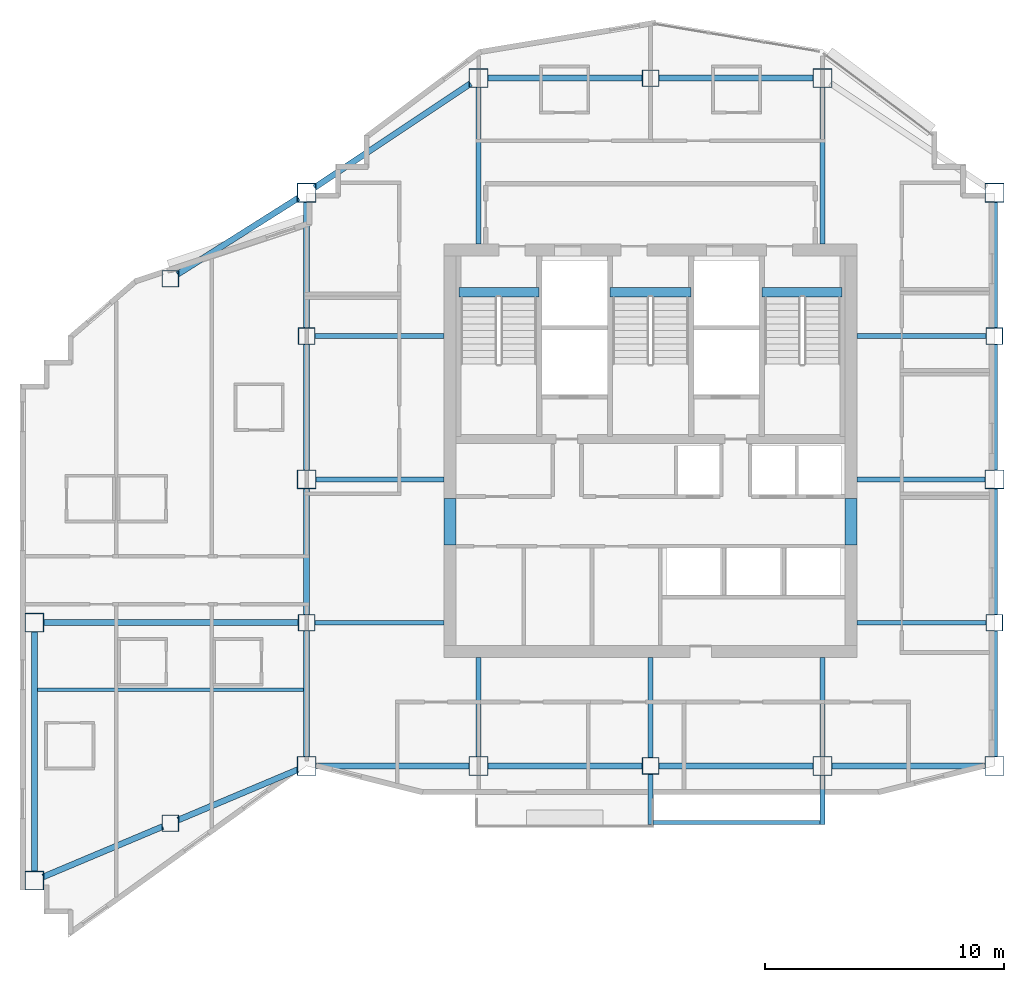
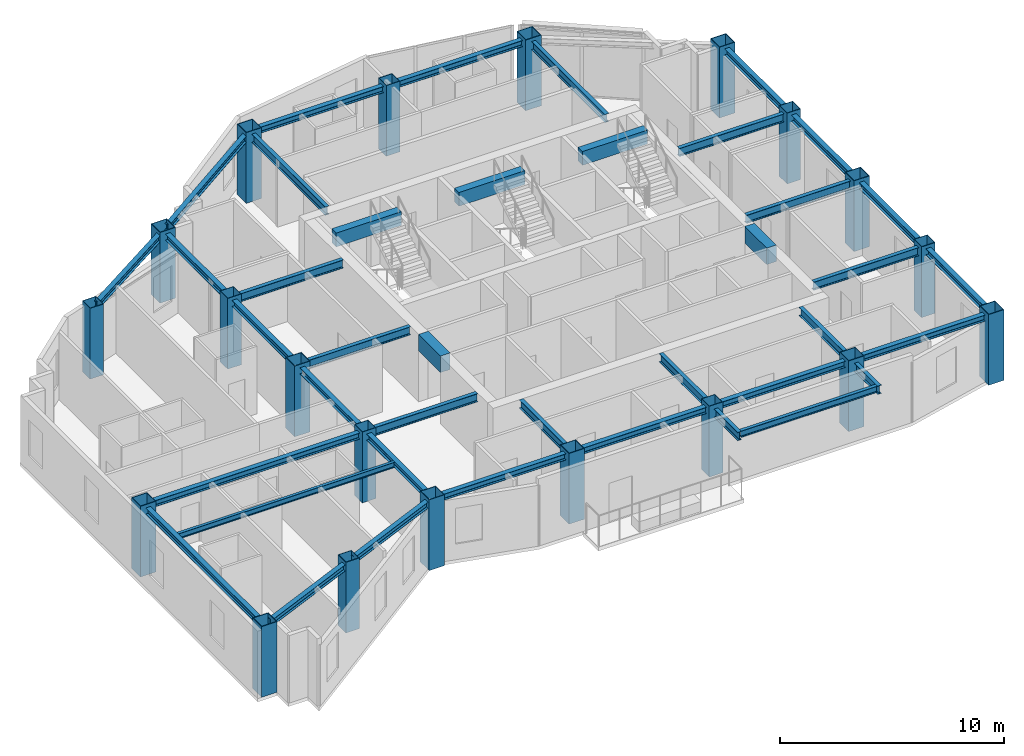
# One storey, part 1 of 11: 40 beams, 20 columns.
"""IFC4 building model written with IfcOpenShell, lengths in metres."""

from ifc_helpers import new_model, si_unit, direction, frame, origin, origin_2d, place, context, subcontext, project, spatial, rectangle, hollow_rectangle, i_section, extrude, material, material_profile, profile_set, type_object, element, save


model = new_model("IFC4")

# Units and contexts
model_context = context("Model", 3, precision=1e-05, world=origin(), true_north=direction((0.0, 1.0)))
body_context = subcontext(model_context, "Body", "Model", "MODEL_VIEW")
ifc_project = project(units=[si_unit("LENGTHUNIT", "METRE"), si_unit("AREAUNIT", "SQUARE_METRE"), si_unit("VOLUMEUNIT", "CUBIC_METRE"), si_unit("PLANEANGLEUNIT", "RADIAN"), si_unit("MASSUNIT", "GRAM", prefix="KILO")], contexts=[model_context])

# Site, building, storey
site_placement = place(None, origin())
site = spatial("IfcSite", under=ifc_project, at=site_placement, CompositionType="ELEMENT")
building_placement = place(site_placement, origin())
building = spatial("IfcBuilding", under=site, at=building_placement, Name="Haolan Belvedere Tower", CompositionType="ELEMENT")
storey_placement = place(building_placement, frame((0.0, 0.0, 254.449951171875)))
storey = spatial("IfcBuildingStorey", under=building, at=storey_placement, Name="L64", CompositionType="ELEMENT", Elevation=254.449951171875)

# Columns
ifc_material_1 = material(Name="Steel Q390GJC", Category="steel")
ifc_material_profile_1 = material_profile(ifc_material_1, hollow_rectangle(XDim=0.699951171875, YDim=0.699951171875, WallThickness=0.02587890625, at=origin_2d()), Name="Steel Q390GJC")
ifc_profile_set_1 = profile_set([ifc_material_profile_1], Name="Steel Q390GJC")
column_type_1 = type_object("IfcColumnType", Name="COL-BOX700x700x26", PredefinedType="COLUMN", material=ifc_profile_set_1)
for number, where, z_axis, x_axis, name in (
    (1, (24.0, 27.60009765625, 0.0), (0.0, 0.0, 1.0), (1.0, 0.0, 0.0), "L64 column TC-T3-W1 (BOX700x700x26)"),
    (2, (24.0, 39.60009765625, 0.0), (0.0, 0.0, 1.0), (1.0, 0.0, 0.0), "L64 column TC-T3-W2 (BOX700x700x26)"),
    (3, (52.800048828125, 27.60009765625, 0.0), (0.0, 0.0, 1.0), (1.0, 0.0, 0.0), "L64 column TC-T3-E1 (BOX700x700x26)"),
    (4, (52.800048828125, 39.60009765625, 0.0), (0.0, 0.0, 1.0), (1.0, 0.0, 0.0), "L64 column TC-T3-E2 (BOX700x700x26)"),
    (5, (38.39990234375, 21.60009765625, 0.0), (0.0, 0.0, 1.0), (1.0, 0.0, 0.0), "L64 column TC-T3-SM (BOX700x700x26)"),
    (6, (38.39990234375, 50.39990234375, 0.0), (0.0, 0.0, 1.0), (1.0, 0.0, 0.0), "L64 column TC-T3-NM (BOX700x700x26)"),
    (7, (18.300048828125, 19.199951171875, 0.0), (0.0, 0.0, 1.0), (1.0, 0.0, 0.0), "L64 column TC-T2-S1 (BOX700x700x26)"),
    (8, (18.300048828125, 42.0, 0.0), (0.0, 0.0, 1.0), (1.0, 0.0, 0.0), "L64 column TC-T2-N1 (BOX700x700x26)"),
):
    element("IfcColumn", number, at=place(storey_placement, frame(where, z_axis=z_axis, x_axis=x_axis)), inside=storey, type_object=column_type_1, Name=name, PredefinedType="COLUMN", context=body_context, shape_type="SweptSolid", body=[
        extrude(hollow_rectangle(XDim=0.699951171875, YDim=0.699951171875, WallThickness=0.02587890625, at=origin_2d()), origin(), (0.0, 0.0, 1.0), 3.85009765625),
    ])
ifc_material_profile_2 = material_profile(ifc_material_1, hollow_rectangle(XDim=0.800048828125, YDim=0.800048828125, WallThickness=0.030029296875, at=origin_2d()), Name="Steel Q390GJC")
ifc_profile_set_2 = profile_set([ifc_material_profile_2], Name="Steel Q390GJC")
column_type_2 = type_object("IfcColumnType", Name="COL-BOX800x800x30", PredefinedType="COLUMN", material=ifc_profile_set_2)
for number, where, z_axis, x_axis, name in (
    (9, (24.0, 21.60009765625, 0.0), (0.0, 0.0, 1.0), (1.0, 0.0, 0.0), "L64 column MC-T3-SW (BOX800x800x30)"),
    (10, (24.0, 33.60009765625, 0.0), (0.0, 0.0, 1.0), (1.0, 0.0, 0.0), "L64 column MC-T3-MW (BOX800x800x30)"),
    (11, (24.0, 45.60009765625, 0.0), (0.0, 0.0, 1.0), (1.0, 0.0, 0.0), "L64 column MC-T3-NW (BOX800x800x30)"),
    (12, (52.800048828125, 21.60009765625, 0.0), (0.0, 0.0, 1.0), (1.0, 0.0, 0.0), "L64 column MC-T3-SE (BOX800x800x30)"),
    (13, (52.800048828125, 33.60009765625, 0.0), (0.0, 0.0, 1.0), (1.0, 0.0, 0.0), "L64 column MC-T3-ME (BOX800x800x30)"),
    (14, (52.800048828125, 45.60009765625, 0.0), (0.0, 0.0, 1.0), (1.0, 0.0, 0.0), "L64 column MC-T3-NE (BOX800x800x30)"),
    (15, (31.199951171875, 21.60009765625, 0.0), (0.0, 0.0, 1.0), (1.0, 0.0, 0.0), "L64 column MC-T3-S1 (BOX800x800x30)"),
    (16, (45.60009765625, 21.60009765625, 0.0), (0.0, 0.0, 1.0), (1.0, 0.0, 0.0), "L64 column MC-T3-S2 (BOX800x800x30)"),
    (17, (31.199951171875, 50.39990234375, 0.0), (0.0, 0.0, 1.0), (1.0, 0.0, 0.0), "L64 column MC-T3-N1 (BOX800x800x30)"),
    (18, (45.60009765625, 50.39990234375, 0.0), (0.0, 0.0, 1.0), (1.0, 0.0, 0.0), "L64 column MC-T3-N2 (BOX800x800x30)"),
    (19, (12.60009765625, 16.800048828125, 0.0), (0.0, 0.0, 1.0), (1.0, 0.0, 0.0), "L64 column MC-T2-SW (BOX800x800x30)"),
    (20, (12.60009765625, 27.60009765625, 0.0), (0.0, 0.0, 1.0), (1.0, 0.0, 0.0), "L64 column MC-T2-MW (BOX800x800x30)"),
):
    element("IfcColumn", number, at=place(storey_placement, frame(where, z_axis=z_axis, x_axis=x_axis)), inside=storey, type_object=column_type_2, Name=name, PredefinedType="COLUMN", context=body_context, shape_type="SweptSolid", body=[
        extrude(hollow_rectangle(XDim=0.800048828125, YDim=0.800048828125, WallThickness=0.030029296875, at=origin_2d()), origin(), (0.0, 0.0, 1.0), 3.85009765625),
    ])

# Beams
ifc_material_2 = material(Name="Steel Q355B", Category="steel")
ifc_material_profile_3 = material_profile(ifc_material_2, i_section(OverallWidth=0.25, OverallDepth=0.340087890625, WebThickness=0.009033203125, FlangeThickness=0.013916015625, FilletRadius=0.02001953125, at=origin_2d()), Name="Steel Q355B")
ifc_profile_set_3 = profile_set([ifc_material_profile_3], Name="Steel Q355B")
beam_type_1 = type_object("IfcBeamType", Name="BM-HM340x250x9x14", PredefinedType="SPANDREL", material=ifc_profile_set_3)
for number, where, z_axis, x_axis, name in (
    (21, (24.0, 22.0, 3.5), (0.0, 1.0, 0.0), (-1.0, 0.0, 0.0), "L64 spandrel girder MC-T3-SW-TC-T3-W1"),
    (22, (24.0, 27.949951171875, 3.5), (0.0, 1.0, 0.0), (-1.0, 0.0, 0.0), "L64 spandrel girder TC-T3-W1-MC-T3-MW"),
    (23, (24.0, 34.0, 3.5), (0.0, 1.0, 0.0), (-1.0, 0.0, 0.0), "L64 spandrel girder MC-T3-MW-TC-T3-W2"),
    (24, (24.0, 39.949951171875, 3.5), (0.0, 1.0, 0.0), (-1.0, 0.0, 0.0), "L64 spandrel girder TC-T3-W2-MC-T3-NW"),
    (25, (52.800048828125, 22.0, 3.5), (0.0, 1.0, 0.0), (-1.0, 0.0, 0.0), "L64 spandrel girder MC-T3-SE-TC-T3-E1"),
    (26, (52.800048828125, 27.949951171875, 3.5), (0.0, 1.0, 0.0), (-1.0, 0.0, 0.0), "L64 spandrel girder TC-T3-E1-MC-T3-ME"),
    (27, (52.800048828125, 34.0, 3.5), (0.0, 1.0, 0.0), (-1.0, 0.0, 0.0), "L64 spandrel girder MC-T3-ME-TC-T3-E2"),
    (28, (52.800048828125, 39.949951171875, 3.5), (0.0, 1.0, 0.0), (-1.0, 0.0, 0.0), "L64 spandrel girder TC-T3-E2-MC-T3-NE"),
):
    element("IfcBeam", number, at=place(storey_placement, frame(where, z_axis=z_axis, x_axis=x_axis)), inside=storey, type_object=beam_type_1, Name=name, PredefinedType="SPANDREL", context=body_context, shape_type="SweptSolid", body=[
        extrude(i_section(OverallWidth=0.25, OverallDepth=0.340087890625, WebThickness=0.009033203125, FlangeThickness=0.013916015625, FilletRadius=0.02001953125, at=origin_2d()), origin(), (0.0, 0.0, 1.0), 5.25),
    ])
beam_1_placement = place(storey_placement, frame((24.39990234375, 21.60009765625, 3.5), z_axis=(1.0, 0.0, 0.0), x_axis=(0.0, 1.0, 0.0)))
element("IfcBeam", 29, at=beam_1_placement, inside=storey, type_object=beam_type_1, Name="L64 spandrel girder MC-T3-SW-MC-T3-S1", PredefinedType="SPANDREL", context=body_context, shape_type="SweptSolid", body=[
    extrude(i_section(OverallWidth=0.25, OverallDepth=0.340087890625, WebThickness=0.009033203125, FlangeThickness=0.013916015625, FilletRadius=0.02001953125, at=origin_2d()), origin(), (0.0, 0.0, 1.0), 6.400146484375),
])
for number, where, z_axis, x_axis, name in (
    (30, (31.60009765625, 21.60009765625, 3.5), (1.0, 0.0, 0.0), (0.0, 1.0, 0.0), "L64 spandrel girder MC-T3-S1-TC-T3-SM"),
    (31, (38.75, 21.60009765625, 3.5), (1.0, 0.0, 0.0), (0.0, 1.0, 0.0), "L64 spandrel girder TC-T3-SM-MC-T3-S2"),
):
    element("IfcBeam", number, at=place(storey_placement, frame(where, z_axis=z_axis, x_axis=x_axis)), inside=storey, type_object=beam_type_1, Name=name, PredefinedType="SPANDREL", context=body_context, shape_type="SweptSolid", body=[
        extrude(i_section(OverallWidth=0.25, OverallDepth=0.340087890625, WebThickness=0.009033203125, FlangeThickness=0.013916015625, FilletRadius=0.02001953125, at=origin_2d()), origin(), (0.0, 0.0, 1.0), 6.449951171875),
    ])
beam_2_placement = place(storey_placement, frame((46.0, 21.60009765625, 3.5), z_axis=(1.0, 0.0, 0.0), x_axis=(0.0, 1.0, 0.0)))
element("IfcBeam", 32, at=beam_2_placement, inside=storey, type_object=beam_type_1, Name="L64 spandrel girder MC-T3-S2-MC-T3-SE", PredefinedType="SPANDREL", context=body_context, shape_type="SweptSolid", body=[
    extrude(i_section(OverallWidth=0.25, OverallDepth=0.340087890625, WebThickness=0.009033203125, FlangeThickness=0.013916015625, FilletRadius=0.02001953125, at=origin_2d()), origin(), (0.0, 0.0, 1.0), 6.39990234375),
])
beam_3_placement = place(storey_placement, frame((24.332763671875, 45.82177734375, 3.5), z_axis=(0.832040729016, 0.55471454394, 0.0), x_axis=(-0.55471454394, 0.832040729016, 0.0)))
element("IfcBeam", 33, at=beam_3_placement, inside=storey, type_object=beam_type_1, Name="L64 spandrel girder MC-T3-NW-MC-T3-N1", PredefinedType="SPANDREL", context=body_context, shape_type="SweptSolid", body=[
    extrude(i_section(OverallWidth=0.25, OverallDepth=0.340087890625, WebThickness=0.009033203125, FlangeThickness=0.013916015625, FilletRadius=0.02001953125, at=origin_2d()), origin(), (0.0, 0.0, 1.0), 7.853515625),
])
for number, where, z_axis, x_axis, name in (
    (34, (31.60009765625, 50.39990234375, 3.5), (1.0, 0.0, 0.0), (0.0, 1.0, 0.0), "L64 spandrel girder MC-T3-N1-TC-T3-NM"),
    (35, (38.75, 50.39990234375, 3.5), (1.0, 0.0, 0.0), (0.0, 1.0, 0.0), "L64 spandrel girder TC-T3-NM-MC-T3-N2"),
):
    element("IfcBeam", number, at=place(storey_placement, frame(where, z_axis=z_axis, x_axis=x_axis)), inside=storey, type_object=beam_type_1, Name=name, PredefinedType="SPANDREL", context=body_context, shape_type="SweptSolid", body=[
        extrude(i_section(OverallWidth=0.25, OverallDepth=0.340087890625, WebThickness=0.009033203125, FlangeThickness=0.013916015625, FilletRadius=0.02001953125, at=origin_2d()), origin(), (0.0, 0.0, 1.0), 6.449951171875),
    ])
beam_4_placement = place(storey_placement, frame((12.60009765625, 17.199951171875, 3.5), z_axis=(0.0, 1.0, 0.0), x_axis=(-1.0, 0.0, 0.0)))
element("IfcBeam", 36, at=beam_4_placement, inside=storey, type_object=beam_type_1, Name="L64 spandrel girder MC-T2-SW-MC-T2-MW", PredefinedType="SPANDREL", context=body_context, shape_type="SweptSolid", body=[
    extrude(i_section(OverallWidth=0.25, OverallDepth=0.340087890625, WebThickness=0.009033203125, FlangeThickness=0.013916015625, FilletRadius=0.02001953125, at=origin_2d()), origin(), (0.0, 0.0, 1.0), 10.0),
])
for number, where, z_axis, x_axis, name in (
    (37, (12.96875, 16.955322265625, 3.5), (0.921640448717, 0.388044950088, 0.0), (-0.388044950088, 0.921640448717, 0.0), "L64 spandrel girder MC-T2-SW-TC-T2-S1"),
    (38, (18.62255859375, 19.3359375, 3.5), (0.921640448717, 0.388044950088, 0.0), (-0.388044950088, 0.921640448717, 0.0), "L64 spandrel girder TC-T2-S1-MC-T3-SW"),
):
    element("IfcBeam", number, at=place(storey_placement, frame(where, z_axis=z_axis, x_axis=x_axis)), inside=storey, type_object=beam_type_1, Name=name, PredefinedType="SPANDREL", context=body_context, shape_type="SweptSolid", body=[
        extrude(i_section(OverallWidth=0.25, OverallDepth=0.340087890625, WebThickness=0.009033203125, FlangeThickness=0.013916015625, FilletRadius=0.02001953125, at=origin_2d()), origin(), (0.0, 0.0, 1.0), 5.4345703125),
    ])
beam_5_placement = place(storey_placement, frame((18.595947265625, 42.18701171875, 3.5), z_axis=(0.845493744187, 0.533985326148, 0.0), x_axis=(-0.533985326148, 0.845493744187, 0.0)))
element("IfcBeam", 39, at=beam_5_placement, inside=storey, type_object=beam_type_1, Name="L64 spandrel girder TC-T2-N1-MC-T3-NW", PredefinedType="SPANDREL", context=body_context, shape_type="SweptSolid", body=[
    extrude(i_section(OverallWidth=0.25, OverallDepth=0.340087890625, WebThickness=0.009033203125, FlangeThickness=0.013916015625, FilletRadius=0.02001953125, at=origin_2d()), origin(), (0.0, 0.0, 1.0), 5.99169921875),
])
beam_6_placement = place(storey_placement, frame((13.0, 27.60009765625, 3.5), z_axis=(1.0, 0.0, 0.0), x_axis=(0.0, 1.0, 0.0)))
element("IfcBeam", 40, at=beam_6_placement, inside=storey, type_object=beam_type_1, Name="L64 spandrel girder MC-T2-MW-TC-T3-W1", PredefinedType="SPANDREL", context=body_context, shape_type="SweptSolid", body=[
    extrude(i_section(OverallWidth=0.25, OverallDepth=0.340087890625, WebThickness=0.009033203125, FlangeThickness=0.013916015625, FilletRadius=0.02001953125, at=origin_2d()), origin(), (0.0, 0.0, 1.0), 10.64990234375),
])
ifc_material_profile_4 = material_profile(ifc_material_2, i_section(OverallWidth=0.14990234375, OverallDepth=0.300048828125, WebThickness=0.006591796875, FlangeThickness=0.009033203125, FilletRadius=0.012939453125, at=origin_2d()), Name="Steel Q355B")
ifc_profile_set_4 = profile_set([ifc_material_profile_4], Name="Steel Q355B")
beam_type_2 = type_object("IfcBeamType", Name="BM-HN300x150x6.5x9", PredefinedType="JOIST", material=ifc_profile_set_4)
beam_7_placement = place(storey_placement, frame((12.72509765625, 24.800048828125, 3.52001953125), z_axis=(1.0, 0.0, 0.0), x_axis=(0.0, 1.0, 0.0)))
element("IfcBeam", 41, at=beam_7_placement, inside=storey, type_object=beam_type_2, Name="L64 west wing floor joist 1", PredefinedType="JOIST", context=body_context, shape_type="SweptSolid", body=[
    extrude(i_section(OverallWidth=0.14990234375, OverallDepth=0.300048828125, WebThickness=0.006591796875, FlangeThickness=0.009033203125, FilletRadius=0.012939453125, at=origin_2d()), origin(), (0.0, 0.0, 1.0), 11.14990234375),
])
ifc_material_profile_5 = material_profile(ifc_material_2, i_section(OverallWidth=0.175048828125, OverallDepth=0.35009765625, WebThickness=0.007080078125, FlangeThickness=0.010986328125, FilletRadius=0.012939453125, at=origin_2d()), Name="Steel Q355B")
ifc_profile_set_5 = profile_set([ifc_material_profile_5], Name="Steel Q355B")
beam_type_3 = type_object("IfcBeamType", Name="BM-HN350x175x7x11", PredefinedType="JOIST", material=ifc_profile_set_5)
beam_8_placement = place(storey_placement, frame((38.5, 19.239990234375, 3.445068359375), z_axis=(1.0, 0.0, 0.0), x_axis=(0.0, 1.0, 0.0)))
element("IfcBeam", 42, at=beam_8_placement, inside=storey, type_object=beam_type_3, Name="L65 tree-balcony front trimmer beam 1", PredefinedType="BEAM", context=body_context, shape_type="SweptSolid", body=[
    extrude(i_section(OverallWidth=0.175048828125, OverallDepth=0.35009765625, WebThickness=0.007080078125, FlangeThickness=0.010986328125, FilletRadius=0.012939453125, at=origin_2d()), origin(), (0.0, 0.0, 1.0), 7.0),
])
ifc_material_profile_6 = material_profile(ifc_material_2, i_section(OverallWidth=0.199951171875, OverallDepth=0.449951171875, WebThickness=0.009033203125, FlangeThickness=0.013916015625, FilletRadius=0.01611328125, at=origin_2d()), Name="Steel Q355B")
ifc_profile_set_6 = profile_set([ifc_material_profile_6], Name="Steel Q355B")
beam_type_4 = type_object("IfcBeamType", Name="BM-HN450x200x9x14", PredefinedType="BEAM", material=ifc_profile_set_6)
beam_9_placement = place(storey_placement, frame((24.39990234375, 33.60009765625, 3.445068359375), z_axis=(1.0, 0.0, 0.0), x_axis=(0.0, 1.0, 0.0)))
element("IfcBeam", 43, at=beam_9_placement, inside=storey, type_object=beam_type_4, Name="L64 core tie beam from MC-T3-MW", PredefinedType="BEAM", context=body_context, shape_type="SweptSolid", body=[
    extrude(i_section(OverallWidth=0.199951171875, OverallDepth=0.449951171875, WebThickness=0.009033203125, FlangeThickness=0.013916015625, FilletRadius=0.01611328125, at=origin_2d()), origin(), (0.0, 0.0, 1.0), 5.35009765625),
])
for number, where, z_axis, x_axis, name in (
    (44, (24.35009765625, 27.60009765625, 3.445068359375), (1.0, 0.0, 0.0), (0.0, 1.0, 0.0), "L64 core tie beam from TC-T3-W1"),
    (45, (24.35009765625, 39.60009765625, 3.445068359375), (1.0, 0.0, 0.0), (0.0, 1.0, 0.0), "L64 core tie beam from TC-T3-W2"),
):
    element("IfcBeam", number, at=place(storey_placement, frame(where, z_axis=z_axis, x_axis=x_axis)), inside=storey, type_object=beam_type_4, Name=name, PredefinedType="BEAM", context=body_context, shape_type="SweptSolid", body=[
        extrude(i_section(OverallWidth=0.199951171875, OverallDepth=0.449951171875, WebThickness=0.009033203125, FlangeThickness=0.013916015625, FilletRadius=0.01611328125, at=origin_2d()), origin(), (0.0, 0.0, 1.0), 5.39990234375),
    ])
beam_10_placement = place(storey_placement, frame((52.39990234375, 33.60009765625, 3.445068359375), z_axis=(-1.0, 0.0, 0.0), x_axis=(0.0, -1.0, 0.0)))
element("IfcBeam", 46, at=beam_10_placement, inside=storey, type_object=beam_type_4, Name="L64 core tie beam from MC-T3-ME", PredefinedType="BEAM", context=body_context, shape_type="SweptSolid", body=[
    extrude(i_section(OverallWidth=0.199951171875, OverallDepth=0.449951171875, WebThickness=0.009033203125, FlangeThickness=0.013916015625, FilletRadius=0.01611328125, at=origin_2d()), origin(), (0.0, 0.0, 1.0), 5.349853515625),
])
for number, where, z_axis, x_axis, name in (
    (47, (52.449951171875, 27.60009765625, 3.445068359375), (-1.0, 0.0, 0.0), (0.0, -1.0, 0.0), "L64 core tie beam from TC-T3-E1"),
    (48, (52.449951171875, 39.60009765625, 3.445068359375), (-1.0, 0.0, 0.0), (0.0, -1.0, 0.0), "L64 core tie beam from TC-T3-E2"),
):
    element("IfcBeam", number, at=place(storey_placement, frame(where, z_axis=z_axis, x_axis=x_axis)), inside=storey, type_object=beam_type_4, Name=name, PredefinedType="BEAM", context=body_context, shape_type="SweptSolid", body=[
        extrude(i_section(OverallWidth=0.199951171875, OverallDepth=0.449951171875, WebThickness=0.009033203125, FlangeThickness=0.013916015625, FilletRadius=0.01611328125, at=origin_2d()), origin(), (0.0, 0.0, 1.0), 5.39990234375),
    ])
beam_11_placement = place(storey_placement, frame((31.199951171875, 22.0, 3.445068359375), z_axis=(0.0, 1.0, 0.0), x_axis=(-1.0, 0.0, 0.0)))
element("IfcBeam", 49, at=beam_11_placement, inside=storey, type_object=beam_type_4, Name="L64 core tie beam from MC-T3-S1", PredefinedType="BEAM", context=body_context, shape_type="SweptSolid", body=[
    extrude(i_section(OverallWidth=0.199951171875, OverallDepth=0.449951171875, WebThickness=0.009033203125, FlangeThickness=0.013916015625, FilletRadius=0.01611328125, at=origin_2d()), origin(), (0.0, 0.0, 1.0), 4.14990234375),
])
beam_12_placement = place(storey_placement, frame((38.39990234375, 21.949951171875, 3.445068359375), z_axis=(0.0, 1.0, 0.0), x_axis=(-1.0, 0.0, 0.0)))
element("IfcBeam", 50, at=beam_12_placement, inside=storey, type_object=beam_type_4, Name="L64 core tie beam from TC-T3-SM", PredefinedType="BEAM", context=body_context, shape_type="SweptSolid", body=[
    extrude(i_section(OverallWidth=0.199951171875, OverallDepth=0.449951171875, WebThickness=0.009033203125, FlangeThickness=0.013916015625, FilletRadius=0.01611328125, at=origin_2d()), origin(), (0.0, 0.0, 1.0), 4.199951171875),
])
beam_13_placement = place(storey_placement, frame((45.60009765625, 22.0, 3.445068359375), z_axis=(0.0, 1.0, 0.0), x_axis=(-1.0, 0.0, 0.0)))
element("IfcBeam", 51, at=beam_13_placement, inside=storey, type_object=beam_type_4, Name="L64 core tie beam from MC-T3-S2", PredefinedType="BEAM", context=body_context, shape_type="SweptSolid", body=[
    extrude(i_section(OverallWidth=0.199951171875, OverallDepth=0.449951171875, WebThickness=0.009033203125, FlangeThickness=0.013916015625, FilletRadius=0.01611328125, at=origin_2d()), origin(), (0.0, 0.0, 1.0), 4.14990234375),
])
for number, where, z_axis, x_axis, name in (
    (52, (31.199951171875, 50.0, 3.445068359375), (0.0, -1.0, 0.0), (1.0, 0.0, 0.0), "L64 core tie beam from MC-T3-N1"),
    (53, (45.60009765625, 50.0, 3.445068359375), (0.0, -1.0, 0.0), (1.0, 0.0, 0.0), "L64 core tie beam from MC-T3-N2"),
):
    element("IfcBeam", number, at=place(storey_placement, frame(where, z_axis=z_axis, x_axis=x_axis)), inside=storey, type_object=beam_type_4, Name=name, PredefinedType="BEAM", context=body_context, shape_type="SweptSolid", body=[
        extrude(i_section(OverallWidth=0.199951171875, OverallDepth=0.449951171875, WebThickness=0.009033203125, FlangeThickness=0.013916015625, FilletRadius=0.01611328125, at=origin_2d()), origin(), (0.0, 0.0, 1.0), 6.550048828125),
    ])
beam_14_placement = place(storey_placement, frame((38.39990234375, 21.25, 3.39501953125), z_axis=(0.0, -1.0, 0.0), x_axis=(1.0, 0.0, 0.0)))
element("IfcBeam", 54, at=beam_14_placement, inside=storey, type_object=beam_type_4, Name="L65 tree-balcony column cantilever TC-T3-SM", PredefinedType="BEAM", context=body_context, shape_type="SweptSolid", body=[
    extrude(i_section(OverallWidth=0.199951171875, OverallDepth=0.449951171875, WebThickness=0.009033203125, FlangeThickness=0.013916015625, FilletRadius=0.01611328125, at=origin_2d()), origin(), (0.0, 0.0, 1.0), 2.110107421875),
])
beam_15_placement = place(storey_placement, frame((45.60009765625, 21.199951171875, 3.39501953125), z_axis=(0.0, -1.0, 0.0), x_axis=(1.0, 0.0, 0.0)))
element("IfcBeam", 55, at=beam_15_placement, inside=storey, type_object=beam_type_4, Name="L65 tree-balcony column cantilever MC-T3-S2", PredefinedType="BEAM", context=body_context, shape_type="SweptSolid", body=[
    extrude(i_section(OverallWidth=0.199951171875, OverallDepth=0.449951171875, WebThickness=0.009033203125, FlangeThickness=0.013916015625, FilletRadius=0.01611328125, at=origin_2d()), origin(), (0.0, 0.0, 1.0), 2.06005859375),
])
ifc_material_3 = material(Name="Concrete C50/60", Category="concrete")
ifc_material_profile_7 = material_profile(ifc_material_3, rectangle(XDim=0.39990234375, YDim=0.75, at=origin_2d()), Name="Concrete C50/60")
ifc_profile_set_7 = profile_set([ifc_material_profile_7], Name="Concrete C50/60")
beam_type_5 = type_object("IfcBeamType", Name="BM-RC400x750", PredefinedType="T_BEAM", material=ifc_profile_set_7)
beam_16_placement = place(storey_placement, frame((30.3798828125, 41.429931640625, 3.47509765625), z_axis=(1.0, 0.0, 0.0), x_axis=(0.0, 1.0, 0.0)))
element("IfcBeam", 56, at=beam_16_placement, inside=storey, type_object=beam_type_5, Name="L65 stair ST1 RC header trimmer beam", PredefinedType="BEAM", context=body_context, shape_type="SweptSolid", body=[
    extrude(rectangle(XDim=0.39990234375, YDim=0.75, at=origin_2d()), origin(), (0.0, 0.0, 1.0), 3.360107421875),
])
beam_17_placement = place(storey_placement, frame((36.699951171875, 41.429931640625, 3.47509765625), z_axis=(1.0, 0.0, 0.0), x_axis=(0.0, 1.0, 0.0)))
element("IfcBeam", 57, at=beam_17_placement, inside=storey, type_object=beam_type_5, Name="L65 stair ST3 RC header trimmer beam", PredefinedType="BEAM", context=body_context, shape_type="SweptSolid", body=[
    extrude(rectangle(XDim=0.39990234375, YDim=0.75, at=origin_2d()), origin(), (0.0, 0.0, 1.0), 3.400146484375),
])
beam_18_placement = place(storey_placement, frame((43.06005859375, 41.429931640625, 3.47509765625), z_axis=(1.0, 0.0, 0.0), x_axis=(0.0, 1.0, 0.0)))
element("IfcBeam", 58, at=beam_18_placement, inside=storey, type_object=beam_type_5, Name="L65 stair ST2 RC header trimmer beam", PredefinedType="BEAM", context=body_context, shape_type="SweptSolid", body=[
    extrude(rectangle(XDim=0.39990234375, YDim=0.75, at=origin_2d()), origin(), (0.0, 0.0, 1.0), 3.35986328125),
])
ifc_material_4 = material(Name="Concrete C60/75", Category="concrete")
ifc_material_profile_8 = material_profile(ifc_material_4, rectangle(XDim=0.5, YDim=0.89990234375, at=origin_2d()), Name="Concrete C60/75")
ifc_profile_set_8 = profile_set([ifc_material_profile_8], Name="Concrete C60/75")
beam_type_6 = type_object("IfcBeamType", Name="BM-RC500x900", PredefinedType="LINTEL", material=ifc_profile_set_8)
for number, where, z_axis, x_axis, name in (
    (59, (30.0, 30.85009765625, 3.219970703125), (0.0, 1.0, 0.0), (-1.0, 0.0, 0.0), "L64 west core coupling beam CB-01"),
    (60, (46.800048828125, 30.85009765625, 3.219970703125), (0.0, 1.0, 0.0), (-1.0, 0.0, 0.0), "L64 east core coupling beam CB-01"),
):
    element("IfcBeam", number, at=place(storey_placement, frame(where, z_axis=z_axis, x_axis=x_axis)), inside=storey, type_object=beam_type_6, Name=name, PredefinedType="LINTEL", context=body_context, shape_type="SweptSolid", body=[
        extrude(rectangle(XDim=0.5, YDim=0.89990234375, at=origin_2d()), origin(), (0.0, 0.0, 1.0), 1.949951171875),
    ])

save(model, "model.ifc")
